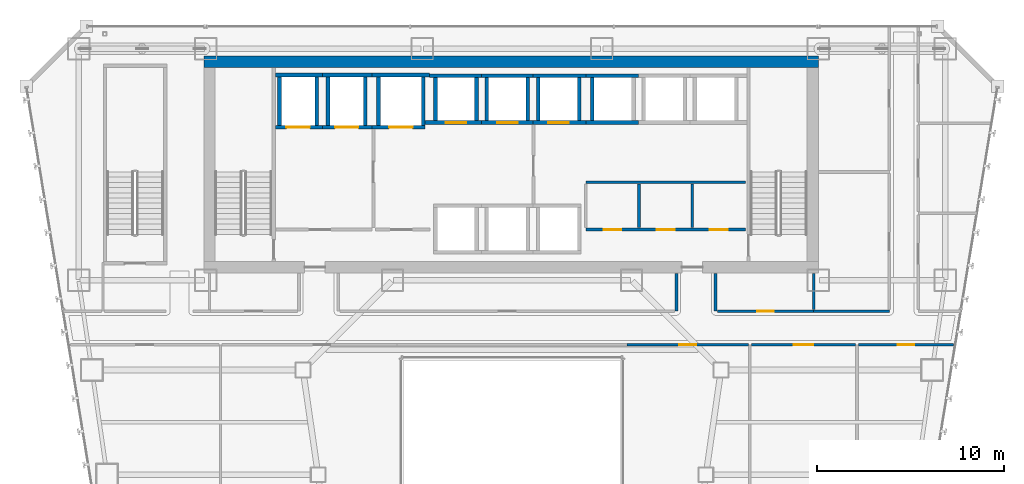
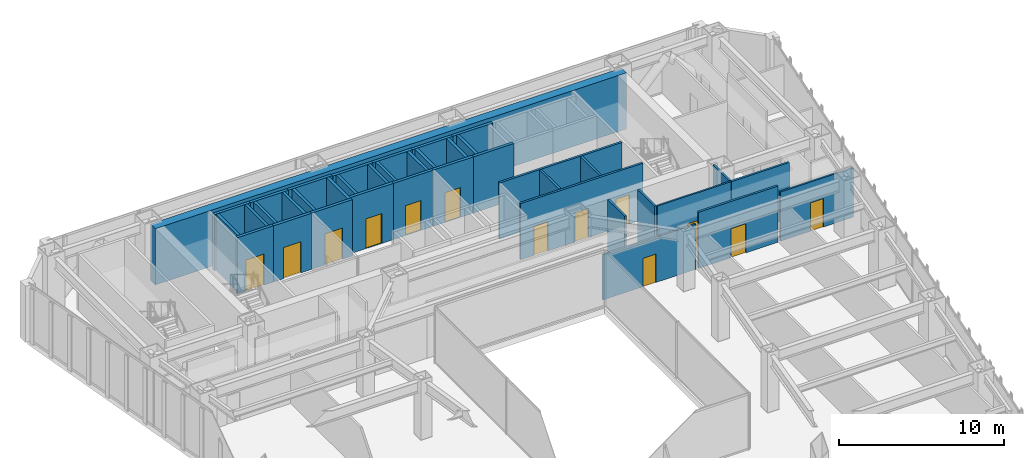
# One storey, part 37 of 49: 40 walls, 13 doors, 13 openings.
"""IFC4 building model written with IfcOpenShell, lengths in metres."""

from ifc_helpers import new_model, si_unit, direction, frame, frame_2d, origin, place, context, subcontext, project, spatial, rectangle, extrude, material, layer, layer_set, type_object, element, fill, save


model = new_model("IFC4")

# Units and contexts
model_context = context("Model", 3, precision=1e-05, world=origin(), true_north=direction((0.0, 1.0)))
body_context = subcontext(model_context, "Body", "Model", "MODEL_VIEW")
ifc_project = project(units=[si_unit("LENGTHUNIT", "METRE"), si_unit("AREAUNIT", "SQUARE_METRE"), si_unit("VOLUMEUNIT", "CUBIC_METRE"), si_unit("PLANEANGLEUNIT", "RADIAN"), si_unit("MASSUNIT", "GRAM", prefix="KILO")], contexts=[model_context])

# Site, building, storey
site_placement = place(None, origin())
site = spatial("IfcSite", under=ifc_project, at=site_placement, CompositionType="ELEMENT")
building_placement = place(site_placement, origin())
building = spatial("IfcBuilding", under=site, at=building_placement, Name="Saevonmaru Cultural Tower", CompositionType="ELEMENT")
storey_placement = place(building_placement, frame((0.0, 0.0, 38.39990234375)))
storey = spatial("IfcBuildingStorey", under=building, at=storey_placement, Name="L07", CompositionType="ELEMENT", Elevation=38.39990234375)

# Wall
ifc_material_1 = material(Name="Concrete C60/75", Category="concrete")
ifc_layer_1 = layer(ifc_material_1, 0.60009765625, Name="Concrete C60/75")
ifc_layer_set_1 = layer_set([ifc_layer_1], Name="Concrete C60/75")
wall_type_1 = type_object("IfcWallType", Name="WL-CORE-600", PredefinedType="SHEAR", material=ifc_layer_set_1)
wall_1_placement = place(storey_placement, frame((13.5, 54.10009765625, 0.0), z_axis=(0.0, 0.0, 1.0), x_axis=(1.0, 0.0, 0.0)))
element("IfcWall", 1, at=wall_1_placement, inside=storey, type_object=wall_type_1, Name="L07 Tower RC core shear wall N", PredefinedType="SHEAR", context=body_context, shape_type="SweptSolid", body=[
    extrude(rectangle(XDim=32.89990234375, YDim=0.60009765625, at=frame_2d((16.449951171875, 0.0))), origin(), (0.0, 0.0, 1.0), 4.150146484375),
])

# Wall, openings, doors
ifc_material_2 = material(Name="Gypsum Fireboard Partition", Category="gypsum")
ifc_layer_2 = layer(ifc_material_2, 0.14990234375, Name="Gypsum Fireboard Partition")
ifc_layer_set_2 = layer_set([ifc_layer_2], Name="Gypsum Fireboard Partition")
wall_type_2 = type_object("IfcWallType", Name="WL-CORE-PART-150", PredefinedType="PARTITIONING", material=ifc_layer_set_2)
wall_2_placement = place(storey_placement, frame((33.949951171875, 45.1201171875, 0.0), z_axis=(0.0, 0.0, 1.0), x_axis=(1.0, 0.0, 0.0)))
wall_2 = element("IfcWall", 2, at=wall_2_placement, inside=storey, type_object=wall_type_2, Name="L07 Core Utility South Wall", PredefinedType="PARTITIONING", context=body_context, shape_type="SweptSolid", body=[
    extrude(rectangle(XDim=8.550048828125, YDim=0.14990234375, at=frame_2d((4.27490234375, 0.0))), origin(), (0.0, 0.0, 1.0), 4.150146484375),
])
opening_1_placement = place(wall_2_placement, frame((0.949951171875, 0.0, 0.0)))
opening_1 = element("IfcOpeningElement", 3, at=opening_1_placement, cuts=wall_2, Name="Opening FD-4", PredefinedType="OPENING", context=body_context, shape_type="SweptSolid", body=[
    extrude(rectangle(XDim=0.949951171875, YDim=2.14990234375, at=frame_2d((0.47509765625, 1.074951171875))), frame((0.0, 0.0849609375, 0.0), z_axis=(0.0, -1.0, 0.0), x_axis=(1.0, 0.0, 0.0)), (0.0, 0.0, 1.0), 0.169921875),
])
opening_2_placement = place(wall_2_placement, frame((3.800048828125, 0.0, 0.0)))
opening_2 = element("IfcOpeningElement", 4, at=opening_2_placement, cuts=wall_2, Name="Opening FD-4", PredefinedType="OPENING", context=body_context, shape_type="SweptSolid", body=[
    extrude(rectangle(XDim=0.949951171875, YDim=2.14990234375, at=frame_2d((0.47509765625, 1.074951171875))), frame((0.0, 0.0849609375, 0.0), z_axis=(0.0, -1.0, 0.0), x_axis=(1.0, 0.0, 0.0)), (0.0, 0.0, 1.0), 0.169921875),
])
opening_3_placement = place(wall_2_placement, frame((6.64990234375, 0.0, 0.0)))
opening_3 = element("IfcOpeningElement", 5, at=opening_3_placement, cuts=wall_2, Name="Opening FD-4", PredefinedType="OPENING", context=body_context, shape_type="SweptSolid", body=[
    extrude(rectangle(XDim=0.949951171875, YDim=2.14990234375, at=frame_2d((0.47509765625, 1.074951171875))), frame((0.0, 0.0849609375, 0.0), z_axis=(0.0, -1.0, 0.0), x_axis=(1.0, 0.0, 0.0)), (0.0, 0.0, 1.0), 0.169921875),
])
ifc_material_3 = material(Name="Satin Bronze Anodised Aluminium", Category="aluminium")
door_type_1 = type_object("IfcDoorType", Name="DR-FD60-950", OperationType="SINGLE_SWING_LEFT", PredefinedType="DOOR", material=ifc_material_3)
door_1_placement = place(opening_1_placement, origin())
door_1 = element("IfcDoor", 6, at=door_1_placement, inside=storey, type_object=door_type_1, Name="L07 Meter Plant Door", OperationType="SINGLE_SWING_LEFT", OverallHeight=2.14990234375, OverallWidth=0.949951171875, PredefinedType="DOOR", context=body_context, shape_type="SweptSolid", body=[
    extrude(rectangle(XDim=0.949951171875, YDim=2.14990234375, at=frame_2d((0.47509765625, 1.074951171875))), frame((0.0, 0.02490234375, 0.0), z_axis=(0.0, -1.0, 0.0), x_axis=(1.0, 0.0, 0.0)), (0.0, 0.0, 1.0), 0.050048828125),
])
fill(opening_1, door_1)
door_2_placement = place(opening_2_placement, origin())
door_2 = element("IfcDoor", 7, at=door_2_placement, inside=storey, type_object=door_type_1, Name="L07 AV Rack Plant Door", OperationType="SINGLE_SWING_LEFT", OverallHeight=2.14990234375, OverallWidth=0.949951171875, PredefinedType="DOOR", context=body_context, shape_type="SweptSolid", body=[
    extrude(rectangle(XDim=0.949951171875, YDim=2.14990234375, at=frame_2d((0.47509765625, 1.074951171875))), frame((0.0, 0.02490234375, 0.0), z_axis=(0.0, -1.0, 0.0), x_axis=(1.0, 0.0, 0.0)), (0.0, 0.0, 1.0), 0.050048828125),
])
fill(opening_2, door_2)
door_3_placement = place(opening_3_placement, origin())
door_3 = element("IfcDoor", 8, at=door_3_placement, inside=storey, type_object=door_type_1, Name="L07 Archive Supply Storage Door", OperationType="SINGLE_SWING_LEFT", OverallHeight=2.14990234375, OverallWidth=0.949951171875, PredefinedType="DOOR", context=body_context, shape_type="SweptSolid", body=[
    extrude(rectangle(XDim=0.949951171875, YDim=2.14990234375, at=frame_2d((0.47509765625, 1.074951171875))), frame((0.0, 0.02490234375, 0.0), z_axis=(0.0, -1.0, 0.0), x_axis=(1.0, 0.0, 0.0)), (0.0, 0.0, 1.0), 0.050048828125),
])
fill(opening_3, door_3)

# Walls
wall_3_placement = place(storey_placement, frame((33.949951171875, 47.64990234375, 0.0), z_axis=(0.0, 0.0, 1.0), x_axis=(1.0, 0.0, 0.0)))
element("IfcWall", 9, at=wall_3_placement, inside=storey, type_object=wall_type_2, Name="L07 Core Utility North Wall", PredefinedType="PARTITIONING", context=body_context, shape_type="SweptSolid", body=[
    extrude(rectangle(XDim=8.550048828125, YDim=0.14990234375, at=frame_2d((4.27490234375, 0.0))), origin(), (0.0, 0.0, 1.0), 4.150146484375),
])
for number, where, z_axis, x_axis, name in (
    (10, (36.800048828125, 45.219970703125, 0.0), (0.0, 0.0, 1.0), (0.0, 1.0, 0.0), "L07 Utility Divider 1"),
    (11, (39.64990234375, 45.219970703125, 0.0), (0.0, 0.0, 1.0), (0.0, 1.0, 0.0), "L07 Utility Divider 2"),
):
    element("IfcWall", number, at=place(storey_placement, frame(where, z_axis=z_axis, x_axis=x_axis)), inside=storey, type_object=wall_type_2, Name=name, PredefinedType="PARTITIONING", context=body_context, shape_type="SweptSolid", body=[
        extrude(rectangle(XDim=2.330078125, YDim=0.14990234375, at=frame_2d((1.1650390625, 0.0))), origin(), (0.0, 0.0, 1.0), 4.150146484375),
    ])
ifc_layer_3 = layer(ifc_material_2, 0.14990234375, Name="Gypsum Fireboard Partition")
ifc_layer_set_3 = layer_set([ifc_layer_3], Name="Gypsum Fireboard Partition")
wall_type_3 = type_object("IfcWallType", Name="WL-PART-FIRE-150", PredefinedType="PARTITIONING", material=ifc_layer_set_3)
for number, where, z_axis, x_axis, name in (
    (12, (38.800048828125, 40.75, 0.0), (0.0, 0.0, 1.0), (0.0, 1.0, 0.0), "L07 Core Portal Side Wall E1"),
    (13, (40.89990234375, 40.75, 0.0), (0.0, 0.0, 1.0), (0.0, 1.0, 0.0), "L07 Core Portal Side Wall E2"),
):
    element("IfcWall", number, at=place(storey_placement, frame(where, z_axis=z_axis, x_axis=x_axis)), inside=storey, type_object=wall_type_3, Name=name, PredefinedType="PARTITIONING", context=body_context, shape_type="SweptSolid", body=[
        extrude(rectangle(XDim=2.030029296875, YDim=0.14990234375, at=frame_2d((1.01513671875, 0.0))), origin(), (0.0, 0.0, 1.0), 4.150146484375),
    ])

# Wall, opening, door
wall_4_placement = place(storey_placement, frame((42.827392578125, 38.949951171875, 0.0), z_axis=(0.0, 0.0, 1.0), x_axis=(1.0, 0.0, 0.0)))
wall_4 = element("IfcWall", 14, at=wall_4_placement, inside=storey, type_object=wall_type_3, Name="L07 Permanent Exhibition Gallery Corridor Wall", PredefinedType="PARTITIONING", context=body_context, shape_type="SweptSolid", body=[
    extrude(rectangle(XDim=5.55517578125, YDim=0.14990234375, at=frame_2d((2.777587890625, 0.0))), origin(), (0.0, 0.0, 1.0), 4.150146484375),
])
opening_4_placement = place(wall_4_placement, frame((2.251953125, 0.0, 0.0)))
opening_4 = element("IfcOpeningElement", 15, at=opening_4_placement, cuts=wall_4, Name="Opening ID-1", PredefinedType="OPENING", context=body_context, shape_type="SweptSolid", body=[
    extrude(rectangle(XDim=1.050048828125, YDim=2.14990234375, at=frame_2d((0.52490234375, 1.074951171875))), frame((0.0, 0.0849609375, 0.0), z_axis=(0.0, -1.0, 0.0), x_axis=(1.0, 0.0, 0.0)), (0.0, 0.0, 1.0), 0.169921875),
])
door_type_2 = type_object("IfcDoorType", Name="DR-INT-1050", OperationType="SINGLE_SWING_LEFT", PredefinedType="DOOR", material=ifc_material_3)
door_4_placement = place(opening_4_placement, origin())
door_4 = element("IfcDoor", 16, at=door_4_placement, inside=storey, type_object=door_type_2, Name="L07 Permanent Exhibition Gallery Door", OperationType="SINGLE_SWING_LEFT", OverallHeight=2.14990234375, OverallWidth=1.050048828125, PredefinedType="DOOR", context=body_context, shape_type="SweptSolid", body=[
    extrude(rectangle(XDim=1.050048828125, YDim=2.14990234375, at=frame_2d((0.52490234375, 1.074951171875))), frame((0.0, 0.02490234375, 0.0), z_axis=(0.0, -1.0, 0.0), x_axis=(1.0, 0.0, 0.0)), (0.0, 0.0, 1.0), 0.050048828125),
])
fill(opening_4, door_4)

ifc_layer_4 = layer(ifc_material_2, 0.1201171875, Name="Gypsum Fireboard Partition")
ifc_layer_set_4 = layer_set([ifc_layer_4], Name="Gypsum Fireboard Partition")
wall_type_4 = type_object("IfcWallType", Name="WL-PART-GYP-120", PredefinedType="PARTITIONING", material=ifc_layer_set_4)
wall_5_placement = place(storey_placement, frame((40.9951171875, 40.75, 0.0), z_axis=(0.0, 0.0, 1.0), x_axis=(1.0, 0.0, 0.0)))
wall_5 = element("IfcWall", 17, at=wall_5_placement, inside=storey, type_object=wall_type_4, Name="L07 Editorial Fellows Office Corridor Wall", PredefinedType="PARTITIONING", context=body_context, shape_type="SweptSolid", body=[
    extrude(rectangle(XDim=5.15478515625, YDim=0.1201171875, at=frame_2d((2.577392578125, 0.0))), origin(), (0.0, 0.0, 1.0), 4.150146484375),
])
opening_5_placement = place(wall_5_placement, frame((2.1279296875, 0.0, 0.0)))
opening_5 = element("IfcOpeningElement", 18, at=opening_5_placement, cuts=wall_5, Name="Opening ID-2", PredefinedType="OPENING", context=body_context, shape_type="SweptSolid", body=[
    extrude(rectangle(XDim=0.89990234375, YDim=2.10009765625, at=frame_2d((0.449951171875, 1.050048828125))), frame((0.0, 0.070068359375, 0.0), z_axis=(0.0, -1.0, 0.0), x_axis=(1.0, 0.0, 0.0)), (0.0, 0.0, 1.0), 0.14013671875),
])
ifc_material_4 = material(Name="Acoustic Stained Oak Timber", Category="wood")
door_type_3 = type_object("IfcDoorType", Name="DR-INT-900", OperationType="SINGLE_SWING_RIGHT", PredefinedType="DOOR", material=ifc_material_4)
door_5_placement = place(opening_5_placement, origin())
door_5 = element("IfcDoor", 19, at=door_5_placement, inside=storey, type_object=door_type_3, Name="L07 Editorial Fellows Office Door", OperationType="SINGLE_SWING_LEFT", OverallHeight=2.10009765625, OverallWidth=0.89990234375, PredefinedType="DOOR", context=body_context, shape_type="SweptSolid", body=[
    extrude(rectangle(XDim=0.89990234375, YDim=2.10009765625, at=frame_2d((0.449951171875, 1.050048828125))), frame((0.0, 0.02490234375, 0.0), z_axis=(0.0, -1.0, 0.0), x_axis=(1.0, 0.0, 0.0)), (0.0, 0.0, 1.0), 0.050048828125),
])
fill(opening_5, door_5)

wall_6_placement = place(storey_placement, frame((36.14990234375, 38.949951171875, 0.0), z_axis=(0.0, 0.0, 1.0), x_axis=(1.0, 0.0, 0.0)))
wall_6 = element("IfcWall", 20, at=wall_6_placement, inside=storey, type_object=wall_type_4, Name="L07 Editorial Fellows Office Corridor Wall", PredefinedType="PARTITIONING", context=body_context, shape_type="SweptSolid", body=[
    extrude(rectangle(XDim=6.502685546875, YDim=0.1201171875, at=frame_2d((3.25146484375, 0.0))), origin(), (0.0, 0.0, 1.0), 3.335205078125),
])
opening_6_placement = place(wall_6_placement, frame((2.801025390625, 0.0, 0.0)))
opening_6 = element("IfcOpeningElement", 21, at=opening_6_placement, cuts=wall_6, Name="Opening ID-2", PredefinedType="OPENING", context=body_context, shape_type="SweptSolid", body=[
    extrude(rectangle(XDim=0.89990234375, YDim=2.10009765625, at=frame_2d((0.449951171875, 1.050048828125))), frame((0.0, 0.070068359375, 0.0), z_axis=(0.0, -1.0, 0.0), x_axis=(1.0, 0.0, 0.0)), (0.0, 0.0, 1.0), 0.14013671875),
])
door_6_placement = place(opening_6_placement, origin())
door_6 = element("IfcDoor", 22, at=door_6_placement, inside=storey, type_object=door_type_3, Name="L07 Editorial Fellows Office Door", OperationType="SINGLE_SWING_RIGHT", OverallHeight=2.10009765625, OverallWidth=0.89990234375, PredefinedType="DOOR", context=body_context, shape_type="SweptSolid", body=[
    extrude(rectangle(XDim=0.89990234375, YDim=2.10009765625, at=frame_2d((0.449951171875, 1.050048828125))), frame((0.0, 0.02490234375, 0.0), z_axis=(0.0, -1.0, 0.0), x_axis=(1.0, 0.0, 0.0)), (0.0, 0.0, 1.0), 0.050048828125),
])
fill(opening_6, door_6)

wall_7_placement = place(storey_placement, frame((48.5576171875, 38.949951171875, 0.0), z_axis=(0.0, 0.0, 1.0), x_axis=(1.0, 0.0, 0.0)))
wall_7 = element("IfcWall", 23, at=wall_7_placement, inside=storey, type_object=wall_type_4, Name="L07 Design Seminar Classroom Corridor Wall", PredefinedType="PARTITIONING", context=body_context, shape_type="SweptSolid", body=[
    extrude(rectangle(XDim=5.07958984375, YDim=0.1201171875, at=frame_2d((2.539794921875, 0.0))), origin(), (0.0, 0.0, 1.0), 3.635009765625),
])
opening_7_placement = place(wall_7_placement, frame((2.090087890625, 0.0, 0.0)))
opening_7 = element("IfcOpeningElement", 24, at=opening_7_placement, cuts=wall_7, Name="Opening ID-2", PredefinedType="OPENING", context=body_context, shape_type="SweptSolid", body=[
    extrude(rectangle(XDim=0.89990234375, YDim=2.10009765625, at=frame_2d((0.449951171875, 1.050048828125))), frame((0.0, 0.070068359375, 0.0), z_axis=(0.0, -1.0, 0.0), x_axis=(1.0, 0.0, 0.0)), (0.0, 0.0, 1.0), 0.14013671875),
])
door_7_placement = place(opening_7_placement, origin())
door_7 = element("IfcDoor", 25, at=door_7_placement, inside=storey, type_object=door_type_3, Name="L07 Design Seminar Classroom Door", OperationType="SINGLE_SWING_RIGHT", OverallHeight=2.10009765625, OverallWidth=0.89990234375, PredefinedType="DOOR", context=body_context, shape_type="SweptSolid", body=[
    extrude(rectangle(XDim=0.89990234375, YDim=2.10009765625, at=frame_2d((0.449951171875, 1.050048828125))), frame((0.0, 0.02490234375, 0.0), z_axis=(0.0, -1.0, 0.0), x_axis=(1.0, 0.0, 0.0)), (0.0, 0.0, 1.0), 0.050048828125),
])
fill(opening_7, door_7)

# Walls
ifc_layer_5 = layer(ifc_material_2, 0.139892578125, Name="Gypsum Fireboard Partition")
ifc_layer_set_5 = layer_set([ifc_layer_5], Name="Gypsum Fireboard Partition")
wall_type_5 = type_object("IfcWallType", Name="WL-PART-WET-140", PredefinedType="PARTITIONING", material=ifc_layer_set_5)
wall_8_placement = place(storey_placement, frame((46.14990234375, 40.75, 0.0), z_axis=(0.0, 0.0, 1.0), x_axis=(1.0, 0.0, 0.0)))
element("IfcWall", 26, at=wall_8_placement, inside=storey, type_object=wall_type_5, Name="L07 Washroom South Wall", PredefinedType="PARTITIONING", context=body_context, shape_type="SweptSolid", body=[
    extrude(rectangle(XDim=4.050048828125, YDim=0.139892578125, at=frame_2d((2.02490234375, 0.0))), origin(), (0.0, 0.0, 1.0), 4.150146484375),
])
wall_9_placement = place(storey_placement, frame((46.14990234375, 40.840087890625, 0.0), z_axis=(0.0, 0.0, 1.0), x_axis=(0.0, 1.0, 0.0)))
element("IfcWall", 27, at=wall_9_placement, inside=storey, type_object=wall_type_5, Name="L07 Washroom South-West Return", PredefinedType="PARTITIONING", context=body_context, shape_type="SweptSolid", body=[
    extrude(rectangle(XDim=1.93994140625, YDim=0.139892578125, at=frame_2d((0.969970703125, 0.0))), origin(), (0.0, 0.0, 1.0), 4.150146484375),
])

# Wall, opening, door
ifc_material_5 = material(Name="Concrete C40/50", Category="concrete")
ifc_layer_6 = layer(ifc_material_5, 0.199951171875, Name="Concrete C40/50")
ifc_layer_set_6 = layer_set([ifc_layer_6], Name="Concrete C40/50")
wall_type_6 = type_object("IfcWallType", Name="WL-SHAFT-200", PredefinedType="SHEAR", material=ifc_layer_set_6)
wall_10_placement = place(storey_placement, frame((17.330078125, 50.60009765625, 0.0), z_axis=(0.0, 0.0, 1.0), x_axis=(1.0, 0.0, 0.0)))
wall_10 = element("IfcWall", 28, at=wall_10_placement, inside=storey, type_object=wall_type_6, Name="L07 Lift FFL-1 Hoistway Wall S", PredefinedType="SHEAR", context=body_context, shape_type="SweptSolid", body=[
    extrude(rectangle(XDim=2.52001953125, YDim=0.199951171875, at=frame_2d((1.260009765625, 0.0))), origin(), (0.0, 0.0, 1.0), 4.150146484375),
])
opening_8_placement = place(wall_10_placement, frame((0.594970703125, 0.0, 0.0)))
opening_8 = element("IfcOpeningElement", 29, at=opening_8_placement, cuts=wall_10, Name="Opening LD-2", PredefinedType="OPENING", context=body_context, shape_type="SweptSolid", body=[
    extrude(rectangle(XDim=1.25, YDim=2.300048828125, at=frame_2d((0.625, 1.14990234375))), frame((0.0, 0.10986328125, 0.0), z_axis=(0.0, -1.0, 0.0), x_axis=(1.0, 0.0, 0.0)), (0.0, 0.0, 1.0), 0.219970703125),
])
ifc_material_6 = material(Name="Stainless Steel 316", Category="steel")
door_type_4 = type_object("IfcDoorType", Name="DR-LIFT-1250", OperationType="SLIDING_TO_LEFT", PredefinedType="DOOR", material=ifc_material_6)
door_8_placement = place(opening_8_placement, origin())
door_8 = element("IfcDoor", 30, at=door_8_placement, inside=storey, type_object=door_type_4, Name="L07 Lift FFL-1 Sliding Landing Door", OperationType="SLIDING_TO_LEFT", OverallHeight=2.300048828125, OverallWidth=1.25, PredefinedType="DOOR", context=body_context, shape_type="SweptSolid", body=[
    extrude(rectangle(XDim=1.25, YDim=2.300048828125, at=frame_2d((0.625, 1.14990234375))), frame((0.0, 0.02490234375, 0.0), z_axis=(0.0, -1.0, 0.0), x_axis=(1.0, 0.0, 0.0)), (0.0, 0.0, 1.0), 0.050048828125),
])
fill(opening_8, door_8)

# Walls
wall_11_placement = place(storey_placement, frame((17.330078125, 53.39990234375, 0.0), z_axis=(0.0, 0.0, 1.0), x_axis=(1.0, 0.0, 0.0)))
element("IfcWall", 31, at=wall_11_placement, inside=storey, type_object=wall_type_6, Name="L07 Lift FFL-1 Hoistway Wall N", PredefinedType="SHEAR", context=body_context, shape_type="SweptSolid", body=[
    extrude(rectangle(XDim=2.52001953125, YDim=0.199951171875, at=frame_2d((1.260009765625, 0.0))), origin(), (0.0, 0.0, 1.0), 4.150146484375),
])
for number, where, z_axis, x_axis, name in (
    (32, (17.550048828125, 50.699951171875, 0.0), (0.0, 0.0, 1.0), (0.0, 1.0, 0.0), "L07 Lift FFL-1 Hoistway Wall W"),
    (33, (19.550048828125, 50.699951171875, 0.0), (0.0, 0.0, 1.0), (0.0, 1.0, 0.0), "L07 Lift FFL-1 Hoistway Wall E"),
):
    element("IfcWall", number, at=place(storey_placement, frame(where, z_axis=z_axis, x_axis=x_axis)), inside=storey, type_object=wall_type_6, Name=name, PredefinedType="SHEAR", context=body_context, shape_type="SweptSolid", body=[
        extrude(rectangle(XDim=2.60009765625, YDim=0.199951171875, at=frame_2d((1.300048828125, 0.0))), origin(), (0.0, 0.0, 1.0), 4.150146484375),
    ])

# Wall, opening, door
wall_12_placement = place(storey_placement, frame((19.85009765625, 50.60009765625, 0.0), z_axis=(0.0, 0.0, 1.0), x_axis=(1.0, 0.0, 0.0)))
wall_12 = element("IfcWall", 34, at=wall_12_placement, inside=storey, type_object=wall_type_6, Name="L07 Lift FFL-2 Hoistway Wall S", PredefinedType="SHEAR", context=body_context, shape_type="SweptSolid", body=[
    extrude(rectangle(XDim=2.64990234375, YDim=0.199951171875, at=frame_2d((1.324951171875, 0.0))), origin(), (0.0, 0.0, 1.0), 4.150146484375),
])
opening_9_placement = place(wall_12_placement, frame((0.675048828125, 0.0, 0.0)))
opening_9 = element("IfcOpeningElement", 35, at=opening_9_placement, cuts=wall_12, Name="Opening LD-2", PredefinedType="OPENING", context=body_context, shape_type="SweptSolid", body=[
    extrude(rectangle(XDim=1.25, YDim=2.300048828125, at=frame_2d((0.625, 1.14990234375))), frame((0.0, 0.10986328125, 0.0), z_axis=(0.0, -1.0, 0.0), x_axis=(1.0, 0.0, 0.0)), (0.0, 0.0, 1.0), 0.219970703125),
])
door_9_placement = place(opening_9_placement, origin())
door_9 = element("IfcDoor", 36, at=door_9_placement, inside=storey, type_object=door_type_4, Name="L07 Lift FFL-2 Sliding Landing Door", OperationType="SLIDING_TO_LEFT", OverallHeight=2.300048828125, OverallWidth=1.25, PredefinedType="DOOR", context=body_context, shape_type="SweptSolid", body=[
    extrude(rectangle(XDim=1.25, YDim=2.300048828125, at=frame_2d((0.625, 1.14990234375))), frame((0.0, 0.02490234375, 0.0), z_axis=(0.0, -1.0, 0.0), x_axis=(1.0, 0.0, 0.0)), (0.0, 0.0, 1.0), 0.050048828125),
])
fill(opening_9, door_9)

# Walls
wall_13_placement = place(storey_placement, frame((19.85009765625, 53.39990234375, 0.0), z_axis=(0.0, 0.0, 1.0), x_axis=(1.0, 0.0, 0.0)))
element("IfcWall", 37, at=wall_13_placement, inside=storey, type_object=wall_type_6, Name="L07 Lift FFL-2 Hoistway Wall N", PredefinedType="SHEAR", context=body_context, shape_type="SweptSolid", body=[
    extrude(rectangle(XDim=2.64990234375, YDim=0.199951171875, at=frame_2d((1.324951171875, 0.0))), origin(), (0.0, 0.0, 1.0), 4.150146484375),
])
for number, where, z_axis, x_axis, name in (
    (38, (20.14990234375, 50.699951171875, 0.0), (0.0, 0.0, 1.0), (0.0, 1.0, 0.0), "L07 Lift FFL-2 Hoistway Wall W"),
    (39, (22.14990234375, 50.699951171875, 0.0), (0.0, 0.0, 1.0), (0.0, 1.0, 0.0), "L07 Lift FFL-2 Hoistway Wall E"),
):
    element("IfcWall", number, at=place(storey_placement, frame(where, z_axis=z_axis, x_axis=x_axis)), inside=storey, type_object=wall_type_6, Name=name, PredefinedType="SHEAR", context=body_context, shape_type="SweptSolid", body=[
        extrude(rectangle(XDim=2.60009765625, YDim=0.199951171875, at=frame_2d((1.300048828125, 0.0))), origin(), (0.0, 0.0, 1.0), 4.150146484375),
    ])

# Wall, opening, door
wall_14_placement = place(storey_placement, frame((22.5, 50.60009765625, 0.0), z_axis=(0.0, 0.0, 1.0), x_axis=(1.0, 0.0, 0.0)))
wall_14 = element("IfcWall", 40, at=wall_14_placement, inside=storey, type_object=wall_type_6, Name="L07 Lift GL-1 Hoistway Wall S", PredefinedType="SHEAR", context=body_context, shape_type="SweptSolid", body=[
    extrude(rectangle(XDim=2.85009765625, YDim=0.199951171875, at=frame_2d((1.425048828125, 0.0))), origin(), (0.0, 0.0, 1.0), 4.150146484375),
])
opening_10_placement = place(wall_14_placement, frame((0.925048828125, 0.0, 0.0)))
opening_10 = element("IfcOpeningElement", 41, at=opening_10_placement, cuts=wall_14, Name="Opening LD-2", PredefinedType="OPENING", context=body_context, shape_type="SweptSolid", body=[
    extrude(rectangle(XDim=1.25, YDim=2.300048828125, at=frame_2d((0.625, 1.14990234375))), frame((0.0, 0.10986328125, 0.0), z_axis=(0.0, -1.0, 0.0), x_axis=(1.0, 0.0, 0.0)), (0.0, 0.0, 1.0), 0.219970703125),
])
door_10_placement = place(opening_10_placement, origin())
door_10 = element("IfcDoor", 42, at=door_10_placement, inside=storey, type_object=door_type_4, Name="L07 Lift GL-1 Sliding Landing Door", OperationType="SLIDING_TO_LEFT", OverallHeight=2.300048828125, OverallWidth=1.25, PredefinedType="DOOR", context=body_context, shape_type="SweptSolid", body=[
    extrude(rectangle(XDim=1.25, YDim=2.300048828125, at=frame_2d((0.625, 1.14990234375))), frame((0.0, 0.02490234375, 0.0), z_axis=(0.0, -1.0, 0.0), x_axis=(1.0, 0.0, 0.0)), (0.0, 0.0, 1.0), 0.050048828125),
])
fill(opening_10, door_10)

# Walls
wall_15_placement = place(storey_placement, frame((22.5, 53.39990234375, 0.0), z_axis=(0.0, 0.0, 1.0), x_axis=(1.0, 0.0, 0.0)))
element("IfcWall", 43, at=wall_15_placement, inside=storey, type_object=wall_type_6, Name="L07 Lift GL-1 Hoistway Wall N", PredefinedType="SHEAR", context=body_context, shape_type="SweptSolid", body=[
    extrude(rectangle(XDim=3.074951171875, YDim=0.199951171875, at=frame_2d((1.53759765625, 0.0))), origin(), (0.0, 0.0, 1.0), 4.150146484375),
])
for number, where, z_axis, x_axis, name in (
    (44, (22.85009765625, 50.699951171875, 0.0), (0.0, 0.0, 1.0), (0.0, 1.0, 0.0), "L07 Lift GL-1 Hoistway Wall W"),
    (45, (25.25, 50.699951171875, 0.0), (0.0, 0.0, 1.0), (0.0, 1.0, 0.0), "L07 Lift GL-1 Hoistway Wall E"),
):
    element("IfcWall", number, at=place(storey_placement, frame(where, z_axis=z_axis, x_axis=x_axis)), inside=storey, type_object=wall_type_6, Name=name, PredefinedType="SHEAR", context=body_context, shape_type="SweptSolid", body=[
        extrude(rectangle(XDim=2.60009765625, YDim=0.199951171875, at=frame_2d((1.300048828125, 0.0))), origin(), (0.0, 0.0, 1.0), 4.150146484375),
    ])

# Wall, opening, door
wall_16_placement = place(storey_placement, frame((25.35009765625, 50.85009765625, 0.0), z_axis=(0.0, 0.0, 1.0), x_axis=(1.0, 0.0, 0.0)))
wall_16 = element("IfcWall", 46, at=wall_16_placement, inside=storey, type_object=wall_type_6, Name="L07 Lift PL-L1 Hoistway Wall S", PredefinedType="SHEAR", context=body_context, shape_type="SweptSolid", body=[
    extrude(rectangle(XDim=3.02490234375, YDim=0.199951171875, at=frame_2d((1.512451171875, 0.0))), origin(), (0.0, 0.0, 1.0), 4.150146484375),
])
opening_11_placement = place(wall_16_placement, frame((1.10009765625, 0.0, 0.0)))
opening_11 = element("IfcOpeningElement", 47, at=opening_11_placement, cuts=wall_16, Name="Opening LD-1", PredefinedType="OPENING", context=body_context, shape_type="SweptSolid", body=[
    extrude(rectangle(XDim=1.10009765625, YDim=2.199951171875, at=frame_2d((0.550048828125, 1.10009765625))), frame((0.0, 0.10986328125, 0.0), z_axis=(0.0, -1.0, 0.0), x_axis=(1.0, 0.0, 0.0)), (0.0, 0.0, 1.0), 0.219970703125),
])
ifc_material_7 = material(Name="Satin Bronze Stainless Steel", Category="steel")
door_type_5 = type_object("IfcDoorType", Name="DR-LIFT-1100", OperationType="SLIDING_TO_LEFT", PredefinedType="DOOR", material=ifc_material_7)
door_11_placement = place(opening_11_placement, origin())
door_11 = element("IfcDoor", 48, at=door_11_placement, inside=storey, type_object=door_type_5, Name="L07 Lift PL-L1 Sliding Landing Door", OperationType="SLIDING_TO_LEFT", OverallHeight=2.199951171875, OverallWidth=1.10009765625, PredefinedType="DOOR", context=body_context, shape_type="SweptSolid", body=[
    extrude(rectangle(XDim=1.10009765625, YDim=2.199951171875, at=frame_2d((0.550048828125, 1.10009765625))), frame((0.0, 0.02490234375, 0.0), z_axis=(0.0, -1.0, 0.0), x_axis=(1.0, 0.0, 0.0)), (0.0, 0.0, 1.0), 0.050048828125),
])
fill(opening_11, door_11)

# Walls
wall_17_placement = place(storey_placement, frame((25.574951171875, 53.35009765625, 0.0), z_axis=(0.0, 0.0, 1.0), x_axis=(1.0, 0.0, 0.0)))
element("IfcWall", 49, at=wall_17_placement, inside=storey, type_object=wall_type_6, Name="L07 Lift PL-L1 Hoistway Wall N", PredefinedType="SHEAR", context=body_context, shape_type="SweptSolid", body=[
    extrude(rectangle(XDim=2.800048828125, YDim=0.199951171875, at=frame_2d((1.39990234375, 0.0))), origin(), (0.0, 0.0, 1.0), 4.150146484375),
])
for number, where, z_axis, x_axis, name in (
    (50, (25.89990234375, 50.949951171875, 0.0), (0.0, 0.0, 1.0), (0.0, 1.0, 0.0), "L07 Lift PL-L1 Hoistway Wall W"),
    (51, (28.10009765625, 50.949951171875, 0.0), (0.0, 0.0, 1.0), (0.0, 1.0, 0.0), "L07 Lift PL-L1 Hoistway Wall E"),
):
    element("IfcWall", number, at=place(storey_placement, frame(where, z_axis=z_axis, x_axis=x_axis)), inside=storey, type_object=wall_type_6, Name=name, PredefinedType="SHEAR", context=body_context, shape_type="SweptSolid", body=[
        extrude(rectangle(XDim=2.300048828125, YDim=0.199951171875, at=frame_2d((1.14990234375, 0.0))), origin(), (0.0, 0.0, 1.0), 4.150146484375),
    ])

# Wall, opening, door
wall_18_placement = place(storey_placement, frame((28.375, 50.85009765625, 0.0), z_axis=(0.0, 0.0, 1.0), x_axis=(1.0, 0.0, 0.0)))
wall_18 = element("IfcWall", 52, at=wall_18_placement, inside=storey, type_object=wall_type_6, Name="L07 Lift PL-L2 Hoistway Wall S", PredefinedType="SHEAR", context=body_context, shape_type="SweptSolid", body=[
    extrude(rectangle(XDim=2.75, YDim=0.199951171875, at=frame_2d((1.375, 0.0))), origin(), (0.0, 0.0, 1.0), 4.150146484375),
])
opening_12_placement = place(wall_18_placement, frame((0.824951171875, 0.0, 0.0)))
opening_12 = element("IfcOpeningElement", 53, at=opening_12_placement, cuts=wall_18, Name="Opening LD-1", PredefinedType="OPENING", context=body_context, shape_type="SweptSolid", body=[
    extrude(rectangle(XDim=1.10009765625, YDim=2.199951171875, at=frame_2d((0.550048828125, 1.10009765625))), frame((0.0, 0.10986328125, 0.0), z_axis=(0.0, -1.0, 0.0), x_axis=(1.0, 0.0, 0.0)), (0.0, 0.0, 1.0), 0.219970703125),
])
door_12_placement = place(opening_12_placement, origin())
door_12 = element("IfcDoor", 54, at=door_12_placement, inside=storey, type_object=door_type_5, Name="L07 Lift PL-L2 Sliding Landing Door", OperationType="SLIDING_TO_LEFT", OverallHeight=2.199951171875, OverallWidth=1.10009765625, PredefinedType="DOOR", context=body_context, shape_type="SweptSolid", body=[
    extrude(rectangle(XDim=1.10009765625, YDim=2.199951171875, at=frame_2d((0.550048828125, 1.10009765625))), frame((0.0, 0.02490234375, 0.0), z_axis=(0.0, -1.0, 0.0), x_axis=(1.0, 0.0, 0.0)), (0.0, 0.0, 1.0), 0.050048828125),
])
fill(opening_12, door_12)

# Walls
wall_19_placement = place(storey_placement, frame((28.375, 53.35009765625, 0.0), z_axis=(0.0, 0.0, 1.0), x_axis=(1.0, 0.0, 0.0)))
element("IfcWall", 55, at=wall_19_placement, inside=storey, type_object=wall_type_6, Name="L07 Lift PL-L2 Hoistway Wall N", PredefinedType="SHEAR", context=body_context, shape_type="SweptSolid", body=[
    extrude(rectangle(XDim=2.75, YDim=0.199951171875, at=frame_2d((1.375, 0.0))), origin(), (0.0, 0.0, 1.0), 4.150146484375),
])
for number, where, z_axis, x_axis, name in (
    (56, (28.64990234375, 50.949951171875, 0.0), (0.0, 0.0, 1.0), (0.0, 1.0, 0.0), "L07 Lift PL-L2 Hoistway Wall W"),
    (57, (30.85009765625, 50.949951171875, 0.0), (0.0, 0.0, 1.0), (0.0, 1.0, 0.0), "L07 Lift PL-L2 Hoistway Wall E"),
):
    element("IfcWall", number, at=place(storey_placement, frame(where, z_axis=z_axis, x_axis=x_axis)), inside=storey, type_object=wall_type_6, Name=name, PredefinedType="SHEAR", context=body_context, shape_type="SweptSolid", body=[
        extrude(rectangle(XDim=2.300048828125, YDim=0.199951171875, at=frame_2d((1.14990234375, 0.0))), origin(), (0.0, 0.0, 1.0), 4.150146484375),
    ])

# Wall, opening, door
wall_20_placement = place(storey_placement, frame((31.125, 50.85009765625, 0.0), z_axis=(0.0, 0.0, 1.0), x_axis=(1.0, 0.0, 0.0)))
wall_20 = element("IfcWall", 58, at=wall_20_placement, inside=storey, type_object=wall_type_6, Name="L07 Lift PL-L3 Hoistway Wall S", PredefinedType="SHEAR", context=body_context, shape_type="SweptSolid", body=[
    extrude(rectangle(XDim=2.824951171875, YDim=0.199951171875, at=frame_2d((1.41259765625, 0.0))), origin(), (0.0, 0.0, 1.0), 4.150146484375),
])
opening_13_placement = place(wall_20_placement, frame((0.824951171875, 0.0, 0.0)))
opening_13 = element("IfcOpeningElement", 59, at=opening_13_placement, cuts=wall_20, Name="Opening LD-1", PredefinedType="OPENING", context=body_context, shape_type="SweptSolid", body=[
    extrude(rectangle(XDim=1.10009765625, YDim=2.199951171875, at=frame_2d((0.550048828125, 1.10009765625))), frame((0.0, 0.10986328125, 0.0), z_axis=(0.0, -1.0, 0.0), x_axis=(1.0, 0.0, 0.0)), (0.0, 0.0, 1.0), 0.219970703125),
])
door_13_placement = place(opening_13_placement, origin())
door_13 = element("IfcDoor", 60, at=door_13_placement, inside=storey, type_object=door_type_5, Name="L07 Lift PL-L3 Sliding Landing Door", OperationType="SLIDING_TO_LEFT", OverallHeight=2.199951171875, OverallWidth=1.10009765625, PredefinedType="DOOR", context=body_context, shape_type="SweptSolid", body=[
    extrude(rectangle(XDim=1.10009765625, YDim=2.199951171875, at=frame_2d((0.550048828125, 1.10009765625))), frame((0.0, 0.02490234375, 0.0), z_axis=(0.0, -1.0, 0.0), x_axis=(1.0, 0.0, 0.0)), (0.0, 0.0, 1.0), 0.050048828125),
])
fill(opening_13, door_13)

# Walls
wall_21_placement = place(storey_placement, frame((31.125, 53.35009765625, 0.0), z_axis=(0.0, 0.0, 1.0), x_axis=(1.0, 0.0, 0.0)))
element("IfcWall", 61, at=wall_21_placement, inside=storey, type_object=wall_type_6, Name="L07 Lift PL-L3 Hoistway Wall N", PredefinedType="SHEAR", context=body_context, shape_type="SweptSolid", body=[
    extrude(rectangle(XDim=2.824951171875, YDim=0.199951171875, at=frame_2d((1.41259765625, 0.0))), origin(), (0.0, 0.0, 1.0), 4.150146484375),
])
for number, where, z_axis, x_axis, name in (
    (62, (31.39990234375, 50.949951171875, 0.0), (0.0, 0.0, 1.0), (0.0, 1.0, 0.0), "L07 Lift PL-L3 Hoistway Wall W"),
    (63, (33.60009765625, 50.949951171875, 0.0), (0.0, 0.0, 1.0), (0.0, 1.0, 0.0), "L07 Lift PL-L3 Hoistway Wall E"),
):
    element("IfcWall", number, at=place(storey_placement, frame(where, z_axis=z_axis, x_axis=x_axis)), inside=storey, type_object=wall_type_6, Name=name, PredefinedType="SHEAR", context=body_context, shape_type="SweptSolid", body=[
        extrude(rectangle(XDim=2.300048828125, YDim=0.199951171875, at=frame_2d((1.14990234375, 0.0))), origin(), (0.0, 0.0, 1.0), 4.150146484375),
    ])
for number, where, z_axis, x_axis, name in (
    (64, (33.949951171875, 50.85009765625, 0.0), (0.0, 0.0, 1.0), (1.0, 0.0, 0.0), "L07 Lift PL-H1 Hoistway Wall S"),
    (65, (33.949951171875, 53.35009765625, 0.0), (0.0, 0.0, 1.0), (1.0, 0.0, 0.0), "L07 Lift PL-H1 Hoistway Wall N"),
):
    element("IfcWall", number, at=place(storey_placement, frame(where, z_axis=z_axis, x_axis=x_axis)), inside=storey, type_object=wall_type_6, Name=name, PredefinedType="SHEAR", context=body_context, shape_type="SweptSolid", body=[
        extrude(rectangle(XDim=2.824951171875, YDim=0.199951171875, at=frame_2d((1.41259765625, 0.0))), origin(), (0.0, 0.0, 1.0), 4.150146484375),
    ])
wall_22_placement = place(storey_placement, frame((34.300048828125, 50.949951171875, 0.0), z_axis=(0.0, 0.0, 1.0), x_axis=(0.0, 1.0, 0.0)))
element("IfcWall", 66, at=wall_22_placement, inside=storey, type_object=wall_type_6, Name="L07 Lift PL-H1 Hoistway Wall W", PredefinedType="SHEAR", context=body_context, shape_type="SweptSolid", body=[
    extrude(rectangle(XDim=2.300048828125, YDim=0.199951171875, at=frame_2d((1.14990234375, 0.0))), origin(), (0.0, 0.0, 1.0), 4.150146484375),
])

save(model, "model.ifc")
